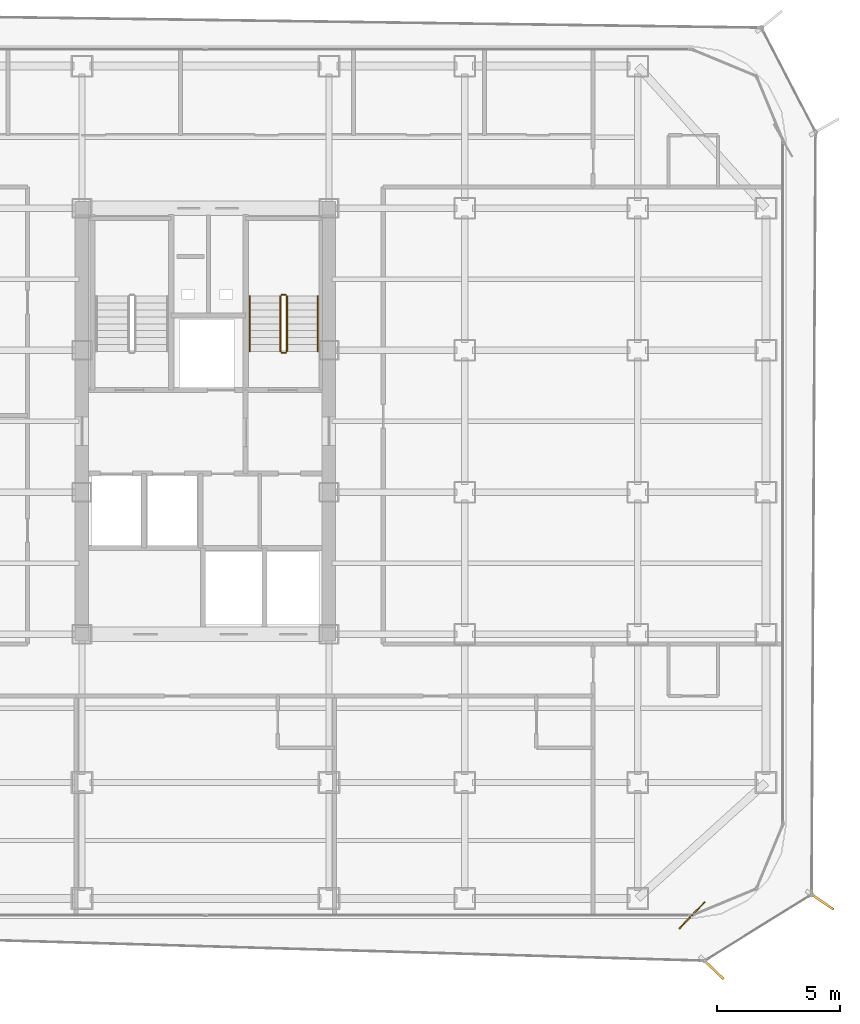
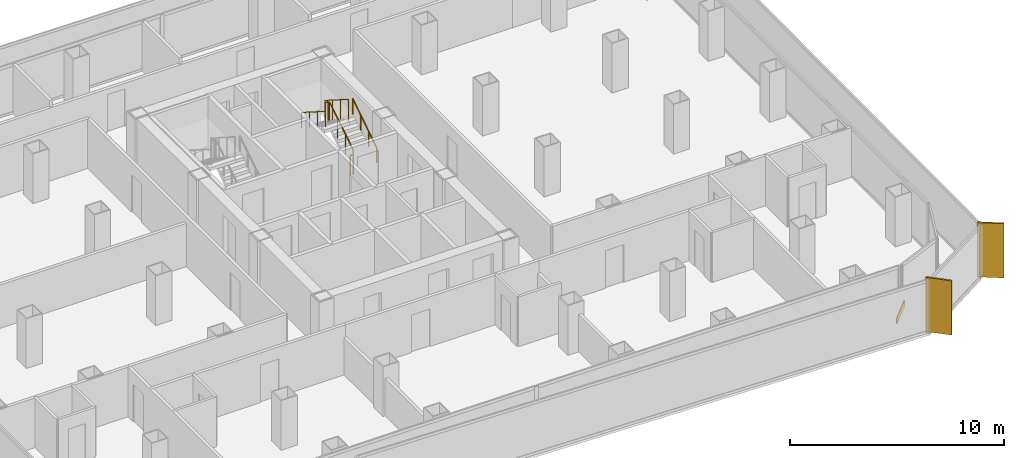
# One storey, part 20 of 21: 6 railings, 2 shading devices, 1 covering.
"""IFC4 building model written with IfcOpenShell, lengths in metres."""

import ifcopenshell
import ifcopenshell.guid

model = None  # the IFC model being written
_history = None  # IfcOwnerHistory: only IFC2X3 demands one
_inside = {}  # id of a spatial element -> (the spatial element, [elements in it])
_under = {}  # id of a project, library or spatial element -> (it, [spatial elements below it])
_declared = {}  # id of a project -> (the project, [libraries it declares])
_typed = {}  # id of a type object -> (the type object, [elements of that type])
_made_of = {}  # id of a material, layer set ... -> (it, [elements and type objects made of it])


def new_model(schema):
    """Start an empty IFC model of exactly this schema.

    Asked for "IFC4X3", IfcOpenShell would pick the latest addendum, in which some entities
    have other attributes; the version numbers below select the first issue.
    IFC2X3 requires an IfcOwnerHistory on every rooted entity: one is made here for all.
    """
    global model, _history
    if schema == "IFC4X3":
        model = ifcopenshell.file(schema_version=(4, 3, 0, 0))
    else:
        model = ifcopenshell.file(schema=schema)
    _inside.clear()
    _under.clear()
    _declared.clear()
    _typed.clear()
    _made_of.clear()
    _history = None
    if model.schema == "IFC2X3":
        org = make("IfcOrganization", Name="unknown")
        user = make(
            "IfcPersonAndOrganization",
            ThePerson=make("IfcPerson", FamilyName="unknown"),
            TheOrganization=org,
        )
        app = make(
            "IfcApplication",
            ApplicationDeveloper=org,
            Version="unknown",
            ApplicationFullName="unknown",
            ApplicationIdentifier="unknown",
        )
        _history = make(
            "IfcOwnerHistory",
            OwningUser=user,
            OwningApplication=app,
            ChangeAction="ADDED",
            CreationDate=0,
        )
    return model


def make(cls, **values):
    """One entity of the class cls with the attributes given. An attribute that is None is left unset."""
    return model.create_entity(
        cls, **{name: value for name, value in values.items() if value is not None}
    )


def rooted(cls, **values):
    """An entity with a GlobalId (a new one), such as an element, a storey or a relation."""
    return make(cls, GlobalId=ifcopenshell.guid.new(), OwnerHistory=_history, **values)


def si_unit(unit_type, name, prefix=None):
    """IfcSIUnit, for example si_unit("LENGTHUNIT", "METRE", prefix="MILLI")."""
    return make("IfcSIUnit", UnitType=unit_type, Prefix=prefix, Name=name)


def assignment(units):
    """IfcUnitAssignment: the units of a project."""
    return None if units is None else make("IfcUnitAssignment", Units=units)


def point(xyz):
    """IfcCartesianPoint."""
    return None if xyz is None else make("IfcCartesianPoint", Coordinates=xyz)


def direction(xyz):
    """IfcDirection."""
    return None if xyz is None else make("IfcDirection", DirectionRatios=xyz)


def frame(location, z_axis=None, x_axis=None):
    """IfcAxis2Placement3D, a coordinate frame: its origin and axes. An axis left out is left unset."""
    return make(
        "IfcAxis2Placement3D",
        Location=point(location),
        Axis=direction(z_axis),
        RefDirection=direction(x_axis),
    )


def frame_2d(location, x_axis=None):
    """IfcAxis2Placement2D, a coordinate frame in the plane: its origin and x axis."""
    return make(
        "IfcAxis2Placement2D", Location=point(location), RefDirection=direction(x_axis)
    )


def origin():
    """The frame at (0, 0, 0) with its axes left unset."""
    return frame((0.0, 0.0, 0.0))


def origin_2d():
    """The frame at (0, 0) in the plane with its x axis left unset."""
    return frame_2d((0.0, 0.0))


def place(relative_to, where):
    """IfcLocalPlacement: puts the frame where relative to a parent placement (None: the world)."""
    return make(
        "IfcLocalPlacement", PlacementRelTo=relative_to, RelativePlacement=where
    )


def context(
    kind, dimensions, precision=None, world=None, true_north=None, identifier=None
):
    """IfcGeometricRepresentationContext, for example the 3D "Model" context."""
    return make(
        "IfcGeometricRepresentationContext",
        ContextIdentifier=identifier,
        ContextType=kind,
        CoordinateSpaceDimension=dimensions,
        Precision=precision,
        WorldCoordinateSystem=world,
        TrueNorth=true_north,
    )


def subcontext(parent, identifier, kind, view, scale=None):
    """IfcGeometricRepresentationSubContext, for example "Body" below "Model"."""
    return make(
        "IfcGeometricRepresentationSubContext",
        ContextIdentifier=identifier,
        ContextType=kind,
        ParentContext=parent,
        TargetScale=scale,
        TargetView=view,
    )


def project(units=None, contexts=None):
    """IfcProject with its units and contexts."""
    return rooted(
        "IfcProject",
        Name="project",
        RepresentationContexts=contexts,
        UnitsInContext=assignment(units),
    )


def spatial(cls, under=None, at=None, **own):
    """A site, building, storey or space (cls), placed at a placement, below another one or the project."""
    s = rooted(cls, ObjectPlacement=at, **own)
    if under is not None:
        _under.setdefault(under.id(), (under, []))[1].append(s)
    return s


def profile(cls, at=None, kind="AREA", **sizes):
    """A parametric profile (cls). Its sizes go by their IFC names, for example OverallWidth=200.0."""
    return make(cls, ProfileType=kind, Position=at, **sizes)


def rectangle(**sizes):
    """IfcRectangleProfileDef."""
    return profile("IfcRectangleProfileDef", **sizes)


def circle(**sizes):
    """IfcCircleProfileDef."""
    return profile("IfcCircleProfileDef", **sizes)


def extrude(swept, where, along, depth):
    """IfcExtrudedAreaSolid: the profile swept, set in the frame where, extruded along a direction by depth."""
    return make(
        "IfcExtrudedAreaSolid",
        SweptArea=swept,
        Position=where,
        ExtrudedDirection=direction(along),
        Depth=depth,
    )


def shape(context_of_items, identifier, shape_type, items):
    """IfcShapeRepresentation: the items that make up one representation, for example the "Body"."""
    return make(
        "IfcShapeRepresentation",
        ContextOfItems=context_of_items,
        RepresentationIdentifier=identifier,
        RepresentationType=shape_type,
        Items=items,
    )


def source(mapping_origin, context_of_items, identifier, shape_type, items):
    """IfcRepresentationMap: a shape defined once, which mapped items show again and again."""
    return make(
        "IfcRepresentationMap",
        MappingOrigin=mapping_origin,
        MappedRepresentation=shape(context_of_items, identifier, shape_type, items),
    )


def transform(
    local_origin,
    x_axis=None,
    y_axis=None,
    z_axis=None,
    scale=None,
    scale2=None,
    scale3=None,
    uniform=True,
):
    """IfcCartesianTransformationOperator3D, or its non-uniform kind. x_axis, y_axis, z_axis: its Axis1, 2, 3."""
    if uniform:
        return make(
            "IfcCartesianTransformationOperator3D",
            Axis1=direction(x_axis),
            Axis2=direction(y_axis),
            LocalOrigin=point(local_origin),
            Scale=scale,
            Axis3=direction(z_axis),
        )
    return make(
        "IfcCartesianTransformationOperator3DnonUniform",
        Axis1=direction(x_axis),
        Axis2=direction(y_axis),
        LocalOrigin=point(local_origin),
        Scale=scale,
        Axis3=direction(z_axis),
        Scale2=scale2,
        Scale3=scale3,
    )


def mapped(mapping_source, mapping_target):
    """IfcMappedItem: shows the shape of a source again, moved by a transform."""
    return make(
        "IfcMappedItem", MappingSource=mapping_source, MappingTarget=mapping_target
    )


def material(Name=None, Category=None):
    """IfcMaterial."""
    return make("IfcMaterial", Name=Name, Category=Category)


def layer(
    of_material, thickness, ventilated=None, Name=None, Category=None, Priority=None
):
    """IfcMaterialLayer: one layer of a wall or slab, of a material (None: an air gap)."""
    return make(
        "IfcMaterialLayer",
        Material=of_material,
        LayerThickness=thickness,
        IsVentilated=ventilated,
        Name=Name,
        Category=Category,
        Priority=Priority,
    )


def layer_set(layers, Name=None):
    """IfcMaterialLayerSet."""
    return make("IfcMaterialLayerSet", MaterialLayers=layers, LayerSetName=Name)


def made_of(thing, what):
    """Note that an element or type object is made of a material, layer set ...; save() writes the relation."""
    if what is not None:
        _made_of.setdefault(what.id(), (what, []))[1].append(thing)
    return thing


def type_object(cls, material=None, **own):
    """A type object (cls), such as IfcWallType, which elements share."""
    return made_of(rooted(cls, **own), material)


def element(
    cls,
    number,
    at=None,
    inside=None,
    cuts=None,
    type_object=None,
    material=None,
    context=None,
    identifier="Body",
    shape_type=None,
    held_by="IfcProductDefinitionShape",
    body=None,
    shapes=None,
    **own,
):
    """One element of the class cls, such as IfcWall. Its Tag is "e" and its number.

    at: its placement. inside: the storey or other place that contains it. cuts: it is an
    opening in that element (IfcRelVoidsElement). A single representation is given by context,
    identifier, shape_type and body (its items); several are given by shapes. held_by: the class
    of the entity that holds the representations. save() writes the other relations.
    """
    e = rooted(cls, Tag="e%d" % number, ObjectPlacement=at, **own)
    if body is not None:
        shapes = [shape(context, identifier, shape_type, body)]
    if shapes is not None:
        e.Representation = make(held_by, Representations=shapes)
    if inside is not None:
        _inside.setdefault(inside.id(), (inside, []))[1].append(e)
    if cuts is not None:
        rooted(
            "IfcRelVoidsElement", RelatingBuildingElement=cuts, RelatedOpeningElement=e
        )
    if type_object is not None:
        _typed.setdefault(type_object.id(), (type_object, []))[1].append(e)
    return made_of(e, material)


def aggregate(whole, parts):
    """IfcRelAggregates: a whole, such as a stair, and the parts it consists of."""
    return rooted("IfcRelAggregates", RelatingObject=whole, RelatedObjects=parts)


def save(model, path):
    """Write the relations noted so far, then the file.

    IfcRelAggregates (storeys below a building ...), IfcRelContainedInSpatialStructure (elements
    in a storey), IfcRelDefinesByType, IfcRelAssociatesMaterial and IfcRelDeclares: one each for
    every whole, place, type object, material and project.
    """
    for whole, parts in _under.values():
        aggregate(whole, parts)
    for where, things in _inside.values():
        rooted(
            "IfcRelContainedInSpatialStructure",
            RelatedElements=things,
            RelatingStructure=where,
        )
    for kind, things in _typed.values():
        rooted("IfcRelDefinesByType", RelatedObjects=things, RelatingType=kind)
    for what, things in _made_of.values():
        rooted("IfcRelAssociatesMaterial", RelatedObjects=things, RelatingMaterial=what)
    for by, libraries in _declared.values():
        rooted("IfcRelDeclares", RelatingContext=by, RelatedDefinitions=libraries)
    model.write(path)


model = new_model("IFC4")

# Units and contexts
model_context = context("Model", 3, precision=1e-05, world=origin(), true_north=direction((0.0, 1.0)))
body_context = subcontext(model_context, "Body", "Model", "MODEL_VIEW")
ifc_project = project(units=[si_unit("LENGTHUNIT", "METRE"), si_unit("AREAUNIT", "SQUARE_METRE"), si_unit("VOLUMEUNIT", "CUBIC_METRE"), si_unit("PLANEANGLEUNIT", "RADIAN"), si_unit("MASSUNIT", "GRAM", prefix="KILO")], contexts=[model_context])

# Site, building, storey
site_placement = place(None, origin())
site = spatial("IfcSite", under=ifc_project, at=site_placement, CompositionType="ELEMENT")
building_placement = place(site_placement, origin())
building = spatial("IfcBuilding", under=site, at=building_placement, Name="Kolveth Station Tower", CompositionType="ELEMENT")
storey_placement = place(building_placement, frame((0.0, 0.0, 148.39990234375)))
storey = spatial("IfcBuildingStorey", under=building, at=storey_placement, Name="L41", CompositionType="ELEMENT", Elevation=148.39990234375)

# Railings
ifc_material_1 = material(Name="Painted Steel S355 balustrade", Category="steel")
railing_type_1 = type_object("IfcRailingType", Name="Guard_GR2", PredefinedType="BALUSTRADE", material=ifc_material_1)
railing_1_placement = place(storey_placement, frame((26.800048828125, 22.949951171875, 0.177978515625)))
element("IfcRailing", 1, at=railing_1_placement, inside=storey, type_object=railing_type_1, Name="L41 ST2 stair guard 1", PredefinedType="BALUSTRADE", context=body_context, shape_type="SweptSolid", body=[
    extrude(circle(Radius=0.02392578125, at=origin_2d()), frame((0.0, 0.0, 1.1259765625), z_axis=(0.0, 0.8442293374, 0.53598211339), x_axis=(-1.0, 0.0, 0.0)), (0.0, 0.0, 1.0), 2.6533203125),
    extrude(circle(Radius=0.02099609375, at=origin_2d()), origin(), (0.0, 0.0, 1.0), 1.101806640625),
    extrude(circle(Radius=0.02099609375, at=origin_2d()), frame((0.0, 0.74658203125, 0.47412109375)), (0.0, 0.0, 1.0), 1.101806640625),
    extrude(circle(Radius=0.02099609375, at=origin_2d()), frame((0.0, 1.493408203125, 0.947998046875)), (0.0, 0.0, 1.0), 1.101806640625),
    extrude(circle(Radius=0.02099609375, at=origin_2d()), frame((0.0, 2.239990234375, 1.422119140625)), (0.0, 0.0, 1.0), 1.101806640625),
])
railing_2_placement = place(storey_placement, frame((26.75, 25.239990234375, 1.60009765625)))
element("IfcRailing", 2, at=railing_2_placement, inside=storey, type_object=railing_type_1, Name="L41 ST2 stair guard 2", PredefinedType="BALUSTRADE", context=body_context, shape_type="SweptSolid", body=[
    extrude(circle(Radius=0.02392578125, at=origin_2d()), frame((0.0, 0.0, 1.1259765625), z_axis=(-1.0, 0.0, 0.0), x_axis=(0.0, -1.0, 0.0)), (0.0, 0.0, 1.0), 0.159912109375),
    extrude(circle(Radius=0.02099609375, at=origin_2d()), origin(), (0.0, 0.0, 1.0), 1.101806640625),
    extrude(circle(Radius=0.02099609375, at=origin_2d()), frame((-0.159912109375, 0.0, 0.0)), (0.0, 0.0, 1.0), 1.101806640625),
])
railing_3_placement = place(storey_placement, frame((26.5400390625, 25.18994140625, 1.77783203125)))
element("IfcRailing", 3, at=railing_3_placement, inside=storey, type_object=railing_type_1, Name="L41 ST2 stair guard 3", PredefinedType="BALUSTRADE", context=body_context, shape_type="SweptSolid", body=[
    extrude(circle(Radius=0.02392578125, at=origin_2d()), frame((0.0, 0.0, 1.1259765625), z_axis=(0.0, -0.84418770128, 0.536047689118), x_axis=(1.0, 0.0, 0.0)), (0.0, 0.0, 1.0), 2.6533203125),
    extrude(circle(Radius=0.02099609375, at=origin_2d()), origin(), (0.0, 0.0, 1.0), 1.101806640625),
    extrude(circle(Radius=0.02099609375, at=origin_2d()), frame((0.0, -0.74658203125, 0.47412109375)), (0.0, 0.0, 1.0), 1.101806640625),
    extrude(circle(Radius=0.02099609375, at=origin_2d()), frame((0.0, -1.493408203125, 0.9482421875)), (0.0, 0.0, 1.0), 1.101806640625),
    extrude(circle(Radius=0.02099609375, at=origin_2d()), frame((0.0, -2.239990234375, 1.42236328125)), (0.0, 0.0, 1.0), 1.101806640625),
])
railing_4_placement = place(storey_placement, frame((26.75, 22.89990234375, 0.0)))
element("IfcRailing", 4, at=railing_4_placement, inside=storey, type_object=railing_type_1, Name="L41 ST2 stair guard 4", PredefinedType="BALUSTRADE", context=body_context, shape_type="SweptSolid", body=[
    extrude(circle(Radius=0.02392578125, at=origin_2d()), frame((0.0, 0.0, 1.1259765625), z_axis=(-1.0, 0.0, 0.0), x_axis=(0.0, -1.0, 0.0)), (0.0, 0.0, 1.0), 0.159912109375),
    extrude(circle(Radius=0.02099609375, at=origin_2d()), origin(), (0.0, 0.0, 1.0), 1.101806640625),
    extrude(circle(Radius=0.02099609375, at=origin_2d()), frame((-0.159912109375, 0.0, 0.0)), (0.0, 0.0, 1.0), 1.101806640625),
])
ifc_material_2 = material(Name="Brushed stainless steel", Category="steel")
railing_type_2 = type_object("IfcRailingType", Name="Handrail_HR1", PredefinedType="HANDRAIL", material=ifc_material_2)
railing_5_placement = place(storey_placement, frame((28.050048828125, 22.949951171875, 0.177978515625)))
element("IfcRailing", 5, at=railing_5_placement, inside=storey, type_object=railing_type_2, Name="L41 ST2 stair handrail 1", PredefinedType="HANDRAIL", context=body_context, shape_type="SweptSolid", body=[
    extrude(circle(Radius=0.02392578125, at=origin_2d()), frame((0.0, 0.0, 0.8759765625), z_axis=(0.0, 0.8442293374, 0.53598211339), x_axis=(-1.0, 0.0, 0.0)), (0.0, 0.0, 1.0), 2.6533203125),
    extrude(circle(Radius=0.02099609375, at=origin_2d()), origin(), (0.0, 0.0, 1.0), 0.851806640625),
    extrude(circle(Radius=0.02099609375, at=origin_2d()), frame((0.0, 0.74658203125, 0.47412109375)), (0.0, 0.0, 1.0), 0.851806640625),
    extrude(circle(Radius=0.02099609375, at=origin_2d()), frame((0.0, 1.493408203125, 0.947998046875)), (0.0, 0.0, 1.0), 0.851806640625),
    extrude(circle(Radius=0.02099609375, at=origin_2d()), frame((0.0, 2.239990234375, 1.422119140625)), (0.0, 0.0, 1.0), 0.851806640625),
])
railing_6_placement = place(storey_placement, frame((25.2900390625, 25.18994140625, 1.77783203125)))
element("IfcRailing", 6, at=railing_6_placement, inside=storey, type_object=railing_type_2, Name="L41 ST2 stair handrail 2", PredefinedType="HANDRAIL", context=body_context, shape_type="SweptSolid", body=[
    extrude(circle(Radius=0.02392578125, at=origin_2d()), frame((0.0, 0.0, 0.8759765625), z_axis=(0.0, -0.84418770128, 0.536047689118), x_axis=(1.0, 0.0, 0.0)), (0.0, 0.0, 1.0), 2.6533203125),
    extrude(circle(Radius=0.02099609375, at=origin_2d()), origin(), (0.0, 0.0, 1.0), 0.851806640625),
    extrude(circle(Radius=0.02099609375, at=origin_2d()), frame((0.0, -0.74658203125, 0.47412109375)), (0.0, 0.0, 1.0), 0.851806640625),
    extrude(circle(Radius=0.02099609375, at=origin_2d()), frame((0.0, -1.493408203125, 0.9482421875)), (0.0, 0.0, 1.0), 0.851806640625),
    extrude(circle(Radius=0.02099609375, at=origin_2d()), frame((0.0, -2.239990234375, 1.42236328125)), (0.0, 0.0, 1.0), 0.851806640625),
])

# Shading devices
ifc_material_3 = material(Name="Black anodized aluminium 6063-T6", Category="aluminium")
shading_device_type = type_object("IfcShadingDeviceType", Name="FIN_VF1", PredefinedType="USERDEFINED", material=ifc_material_3)
shared_shape_1 = source(origin(), body_context, "Body", "SweptSolid", [
    extrude(rectangle(XDim=1.25, YDim=0.090087890625, at=origin_2d()), origin(), (0.0, 0.0, 1.0), 3.10009765625),
])
for number, where, z_axis, x_axis, name in (
    (7, (44.034912109375, -2.032958984375, 0.0), (0.0, 0.0, 1.0), (0.721881018878, -0.692017192405, 0.0), "L41 Dark-Aluminium Solar Fin 1"),
    (8, (48.416015625, 0.7119140625, 0.0), (0.0, 0.0, 1.0), (0.826982459622, -0.562227722082, 0.0), "L41 Dark-Aluminium Solar Fin 2"),
):
    element("IfcShadingDevice", number, at=place(storey_placement, frame(where, z_axis=z_axis, x_axis=x_axis)), inside=storey, type_object=shading_device_type, Name=name, ObjectType="FIN", PredefinedType="USERDEFINED", context=body_context, shape_type="MappedRepresentation", body=[
        mapped(shared_shape_1, transform((0.0, 0.0, 0.0), x_axis=(1.0, 0.0, 0.0), y_axis=(0.0, 1.0, 0.0), z_axis=(0.0, 0.0, 1.0), scale=1.0)),
    ])

# Covering
ifc_material_4 = material(Name="Charcoal anodized aluminium spandrel cladding", Category="aluminium")
ifc_layer = layer(ifc_material_4, 0.044921875)
ifc_layer_set = layer_set([ifc_layer], Name="Charcoal anodized aluminium spandrel cladding")
covering_type = type_object("IfcCoveringType", Name="Clad_CD1", PredefinedType="CLADDING", material=ifc_layer_set)
shared_shape_2 = source(origin(), body_context, "Body", "SweptSolid", [
    extrude(rectangle(XDim=1.5, YDim=0.044921875, at=origin_2d()), origin(), (0.0, 0.0, 1.0), 0.360107421875),
])
covering_placement = place(storey_placement, frame((43.199951171875, 0.1201171875, 0.0), z_axis=(0.0, 0.0, 1.0), x_axis=(0.692017192405, 0.721881018878, 0.0)))
element("IfcCovering", 9, at=covering_placement, inside=storey, type_object=covering_type, Name="L41 Spandrel Edge Cladding 1", PredefinedType="CLADDING", context=body_context, shape_type="MappedRepresentation", body=[
    mapped(shared_shape_2, transform((0.0, 0.0, 0.0), x_axis=(1.0, 0.0, 0.0), y_axis=(0.0, 1.0, 0.0), z_axis=(0.0, 0.0, 1.0), scale=1.0)),
])

save(model, "model.ifc")
